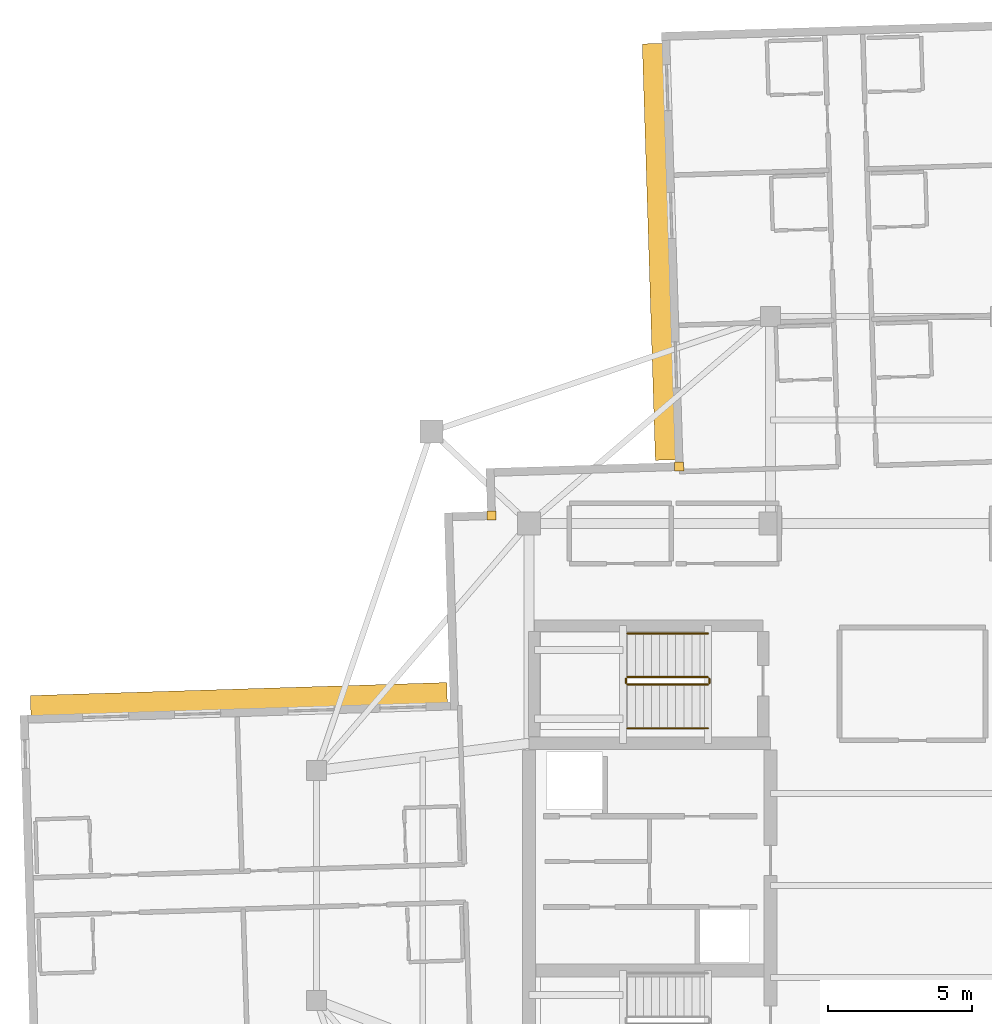
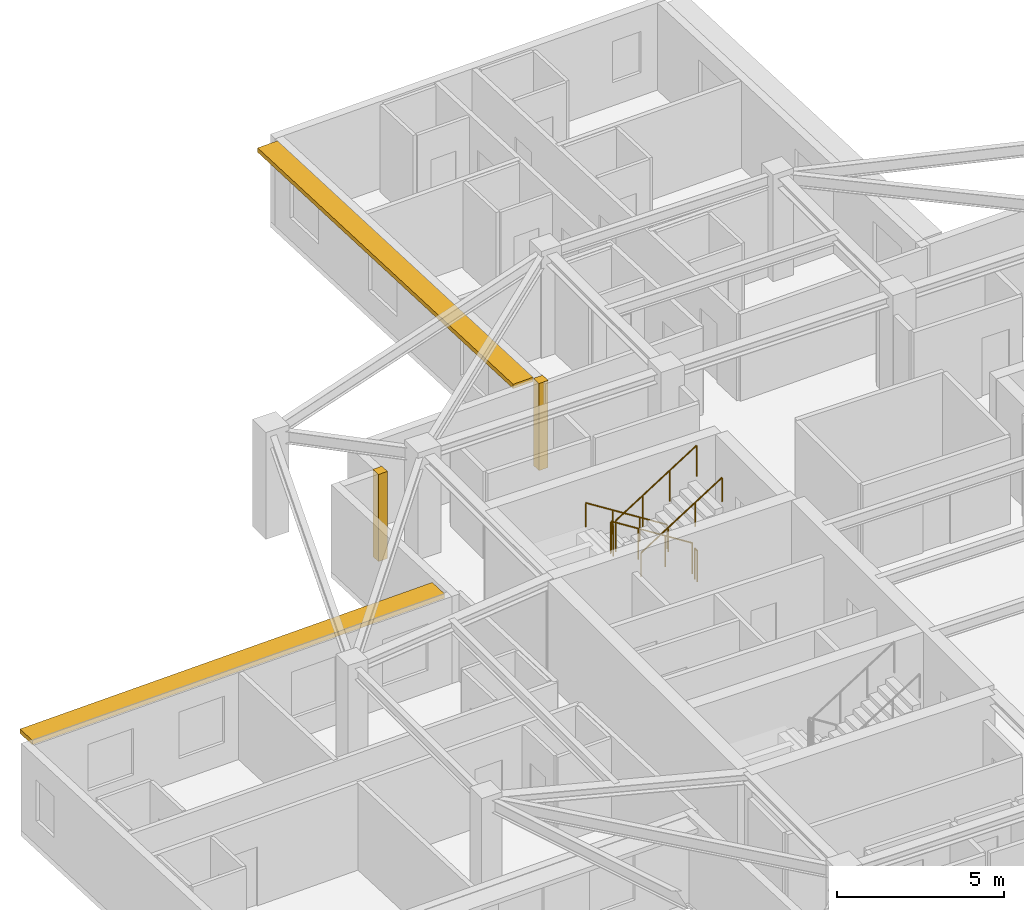
# One storey, part 12 of 13: 6 railings, 2 coverings, 2 shading devices.
"""IFC4 building model written with IfcOpenShell, lengths in metres."""

from ifc_helpers import new_model, si_unit, direction, frame, origin, origin_2d, place, context, subcontext, project, spatial, rectangle, circle, extrude, material, layer, layer_set, type_object, element, save


model = new_model("IFC4")

# Units and contexts
model_context = context("Model", 3, precision=1e-05, world=origin(), true_north=direction((0.0, 1.0)))
body_context = subcontext(model_context, "Body", "Model", "MODEL_VIEW")
ifc_project = project(units=[si_unit("LENGTHUNIT", "METRE"), si_unit("AREAUNIT", "SQUARE_METRE"), si_unit("VOLUMEUNIT", "CUBIC_METRE"), si_unit("PLANEANGLEUNIT", "RADIAN"), si_unit("MASSUNIT", "GRAM", prefix="KILO")], contexts=[model_context])

# Site, building, storey
site_placement = place(None, origin())
site = spatial("IfcSite", under=ifc_project, at=site_placement, CompositionType="ELEMENT")
building_placement = place(site_placement, origin())
building = spatial("IfcBuilding", under=site, at=building_placement, Name="Qingluan Cross Belvedere", CompositionType="ELEMENT")
storey_placement = place(building_placement, frame((0.0, 0.0, 273.300048828125)))
storey = spatial("IfcBuildingStorey", under=building, at=storey_placement, Name="L68", CompositionType="ELEMENT", Elevation=273.300048828125)

# Coverings
ifc_material_1 = material(Name="Precast concrete C45", Category="concrete")
ifc_layer_1 = layer(ifc_material_1, 0.1201171875, Name="ConcreteSpandrelCladding_120")
ifc_layer_set_1 = layer_set([ifc_layer_1], Name="Precast concrete C45")
covering_type = type_object("IfcCoveringType", Name="ConcreteSpandrelCladding_120", PredefinedType="CLADDING", material=ifc_layer_set_1)
for number, where, z_axis, x_axis, name in (
    (1, (-13.711181640625, 12.875732421875, 0.0), (0.0, 0.0, 1.0), (0.999506560366, 0.031410759078, 0.0), "Corner closure L68-NW1"),
    (2, (-7.181640625, 14.58154296875, 0.0), (0.0, 0.0, 1.0), (0.999506560366, 0.031410759078, 0.0), "Corner closure L68-NW2"),
):
    element("IfcCovering", number, at=place(storey_placement, frame(where, z_axis=z_axis, x_axis=x_axis)), inside=storey, type_object=covering_type, Name=name, PredefinedType="CLADDING", context=body_context, shape_type="SweptSolid", body=[
        extrude(rectangle(XDim=0.320068359375, YDim=0.320068359375, at=origin_2d()), origin(), (0.0, 0.0, 1.0), 3.179931640625),
    ])

# Shading devices
ifc_material_2 = material(Name="Precast concrete C45", Category="concrete")
ifc_layer_2 = layer(ifc_material_2, 0.139892578125, Name="ConcreteSunshadeBand_700")
ifc_layer_set_2 = layer_set([ifc_layer_2], Name="Precast concrete C45")
shading_device_type = type_object("IfcShadingDeviceType", Name="ConcreteSunshadeBand_700", PredefinedType="USERDEFINED", material=ifc_layer_set_2)
for number, where, z_axis, x_axis, name in (
    (3, (-7.88671875, 22.052978515625, 3.0), (0.0, 0.0, 1.0), (0.031408051437, -0.999506645453, 0.0), "Concrete SUNSHADE L68-NB"),
    (4, (-22.5048828125, 6.486328125, 3.0), (0.0, 0.0, 1.0), (-0.999506645453, -0.031408051437, 0.0), "Concrete SUNSHADE L68-WA"),
):
    element("IfcShadingDevice", number, at=place(storey_placement, frame(where, z_axis=z_axis, x_axis=x_axis)), inside=storey, type_object=shading_device_type, Name=name, ObjectType="SUNSHADE", PredefinedType="USERDEFINED", context=body_context, shape_type="SweptSolid", body=[
        extrude(rectangle(XDim=14.5, YDim=0.699951171875, at=origin_2d()), origin(), (0.0, 0.0, 1.0), 0.159912109375),
    ])

# Railings
ifc_material_3 = material(Name="Brushed stainless steel tubular handrail", Category="steel")
railing_type_1 = type_object("IfcRailingType", Name="StairPitchHandrail_900", PredefinedType="HANDRAIL", material=ifc_material_3)
railing_1_placement = place(storey_placement, frame((-6.179931640625, 8.77001953125, 0.17724609375)))
element("IfcRailing", 5, at=railing_1_placement, inside=storey, type_object=railing_type_1, Name="L68 ST3 stair handrail 1", PredefinedType="HANDRAIL", context=body_context, shape_type="SweptSolid", body=[
    extrude(circle(Radius=0.02392578125, at=origin_2d()), frame((0.0, 0.0, 0.8759765625), z_axis=(-0.844908973607, 0.0, 0.534910110503), x_axis=(0.0, -1.0, 0.0)), (0.0, 0.0, 1.0), 3.31396484375),
    extrude(circle(Radius=0.02099609375, at=origin_2d()), origin(), (0.0, 0.0, 1.0), 0.851806640625),
    extrude(circle(Radius=0.02099609375, at=origin_2d()), frame((-0.933349609375, 0.0, 0.5908203125)), (0.0, 0.0, 1.0), 0.851806640625),
    extrude(circle(Radius=0.02099609375, at=origin_2d()), frame((-1.86669921875, 0.0, 1.181884765625)), (0.0, 0.0, 1.0), 0.851806640625),
    extrude(circle(Radius=0.02099609375, at=origin_2d()), frame((-2.800048828125, 0.0, 1.772705078125)), (0.0, 0.0, 1.0), 0.851806640625),
])
railing_2_placement = place(storey_placement, frame((-8.97998046875, 5.469970703125, 2.127197265625)))
element("IfcRailing", 6, at=railing_2_placement, inside=storey, type_object=railing_type_1, Name="L68 ST3 stair handrail 2", PredefinedType="HANDRAIL", context=body_context, shape_type="SweptSolid", body=[
    extrude(circle(Radius=0.02392578125, at=origin_2d()), frame((0.0, 0.0, 0.8759765625), z_axis=(0.844908973607, 0.0, 0.534910110503), x_axis=(0.0, 1.0, 0.0)), (0.0, 0.0, 1.0), 3.31396484375),
    extrude(circle(Radius=0.02099609375, at=origin_2d()), origin(), (0.0, 0.0, 1.0), 0.851806640625),
    extrude(circle(Radius=0.02099609375, at=origin_2d()), frame((0.933349609375, 0.0, 0.5908203125)), (0.0, 0.0, 1.0), 0.851806640625),
    extrude(circle(Radius=0.02099609375, at=origin_2d()), frame((1.86669921875, 0.0, 1.181884765625)), (0.0, 0.0, 1.0), 0.851806640625),
    extrude(circle(Radius=0.02099609375, at=origin_2d()), frame((2.800048828125, 0.0, 1.772705078125)), (0.0, 0.0, 1.0), 0.851806640625),
])
ifc_material_4 = material(Name="Painted steel stair well guard", Category="steel")
railing_type_2 = type_object("IfcRailingType", Name="StairWellGuard_1150", PredefinedType="BALUSTRADE", material=ifc_material_4)
railing_3_placement = place(storey_placement, frame((-6.179931640625, 7.25, 0.17724609375)))
element("IfcRailing", 7, at=railing_3_placement, inside=storey, type_object=railing_type_2, Name="L68 ST3 stair guard 1", PredefinedType="BALUSTRADE", context=body_context, shape_type="SweptSolid", body=[
    extrude(circle(Radius=0.02392578125, at=origin_2d()), frame((0.0, 0.0, 1.1259765625), z_axis=(-0.844908973607, 0.0, 0.534910110503), x_axis=(0.0, -1.0, 0.0)), (0.0, 0.0, 1.0), 3.31396484375),
    extrude(circle(Radius=0.02099609375, at=origin_2d()), origin(), (0.0, 0.0, 1.0), 1.101806640625),
    extrude(circle(Radius=0.02099609375, at=origin_2d()), frame((-0.933349609375, 0.0, 0.5908203125)), (0.0, 0.0, 1.0), 1.101806640625),
    extrude(circle(Radius=0.02099609375, at=origin_2d()), frame((-1.86669921875, 0.0, 1.181884765625)), (0.0, 0.0, 1.0), 1.101806640625),
    extrude(circle(Radius=0.02099609375, at=origin_2d()), frame((-2.800048828125, 0.0, 1.772705078125)), (0.0, 0.0, 1.0), 1.101806640625),
])
railing_4_placement = place(storey_placement, frame((-9.030029296875, 7.199951171875, 1.949951171875)))
element("IfcRailing", 8, at=railing_4_placement, inside=storey, type_object=railing_type_2, Name="L68 ST3 stair guard 2", PredefinedType="BALUSTRADE", context=body_context, shape_type="SweptSolid", body=[
    extrude(circle(Radius=0.02392578125, at=origin_2d()), frame((0.0, 0.0, 1.1259765625), z_axis=(0.0, -1.0, 0.0), x_axis=(1.0, 0.0, 0.0)), (0.0, 0.0, 1.0), 0.159912109375),
    extrude(circle(Radius=0.02099609375, at=origin_2d()), origin(), (0.0, 0.0, 1.0), 1.101806640625),
    extrude(circle(Radius=0.02099609375, at=origin_2d()), frame((0.0, -0.159912109375, 0.0)), (0.0, 0.0, 1.0), 1.101806640625),
])
railing_5_placement = place(storey_placement, frame((-8.97998046875, 6.989990234375, 2.127197265625)))
element("IfcRailing", 9, at=railing_5_placement, inside=storey, type_object=railing_type_2, Name="L68 ST3 stair guard 3", PredefinedType="BALUSTRADE", context=body_context, shape_type="SweptSolid", body=[
    extrude(circle(Radius=0.02392578125, at=origin_2d()), frame((0.0, 0.0, 1.1259765625), z_axis=(0.844908973607, 0.0, 0.534910110503), x_axis=(0.0, 1.0, 0.0)), (0.0, 0.0, 1.0), 3.31396484375),
    extrude(circle(Radius=0.02099609375, at=origin_2d()), origin(), (0.0, 0.0, 1.0), 1.101806640625),
    extrude(circle(Radius=0.02099609375, at=origin_2d()), frame((0.933349609375, 0.0, 0.5908203125)), (0.0, 0.0, 1.0), 1.101806640625),
    extrude(circle(Radius=0.02099609375, at=origin_2d()), frame((1.86669921875, 0.0, 1.181884765625)), (0.0, 0.0, 1.0), 1.101806640625),
    extrude(circle(Radius=0.02099609375, at=origin_2d()), frame((2.800048828125, 0.0, 1.772705078125)), (0.0, 0.0, 1.0), 1.101806640625),
])
railing_6_placement = place(storey_placement, frame((-6.1298828125, 7.199951171875, 0.0)))
element("IfcRailing", 10, at=railing_6_placement, inside=storey, type_object=railing_type_2, Name="L68 ST3 stair guard 4", PredefinedType="BALUSTRADE", context=body_context, shape_type="SweptSolid", body=[
    extrude(circle(Radius=0.02392578125, at=origin_2d()), frame((0.0, 0.0, 1.1259765625), z_axis=(0.0, -1.0, 0.0), x_axis=(1.0, 0.0, 0.0)), (0.0, 0.0, 1.0), 0.159912109375),
    extrude(circle(Radius=0.02099609375, at=origin_2d()), origin(), (0.0, 0.0, 1.0), 1.101806640625),
    extrude(circle(Radius=0.02099609375, at=origin_2d()), frame((0.0, -0.159912109375, 0.0)), (0.0, 0.0, 1.0), 1.101806640625),
])

save(model, "model.ifc")
